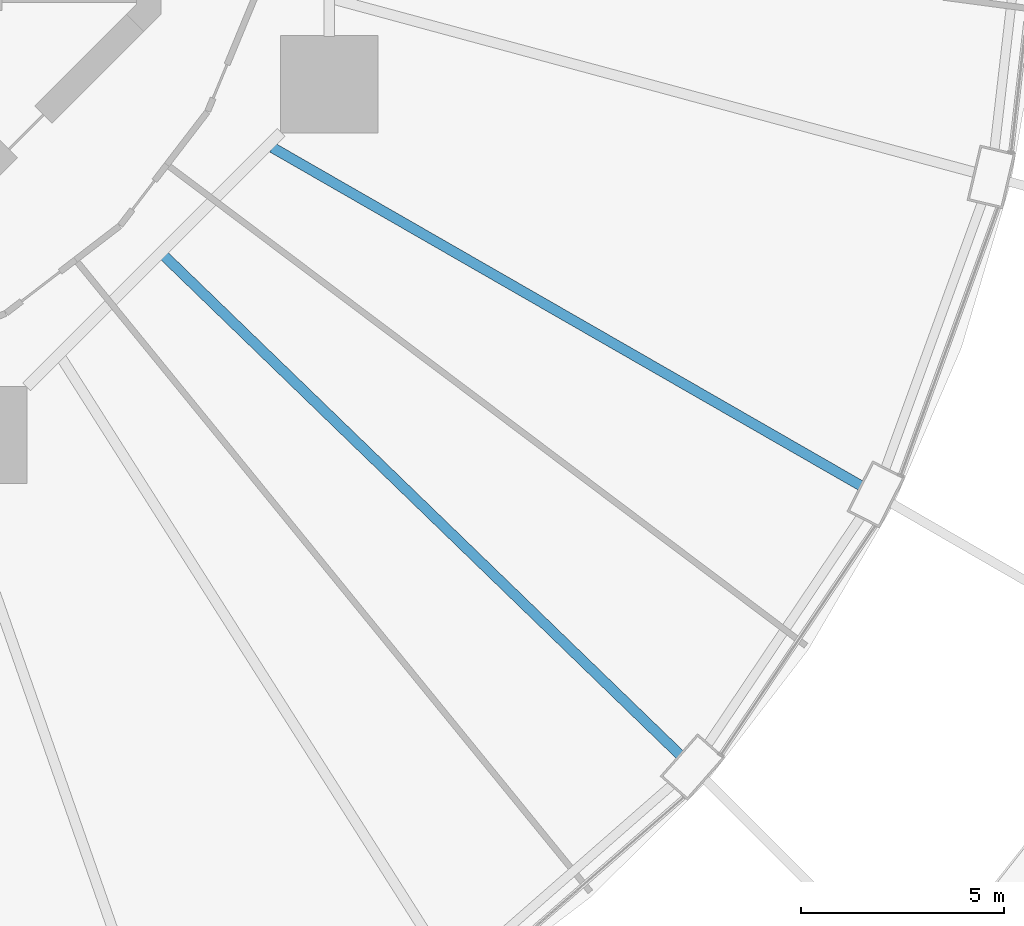
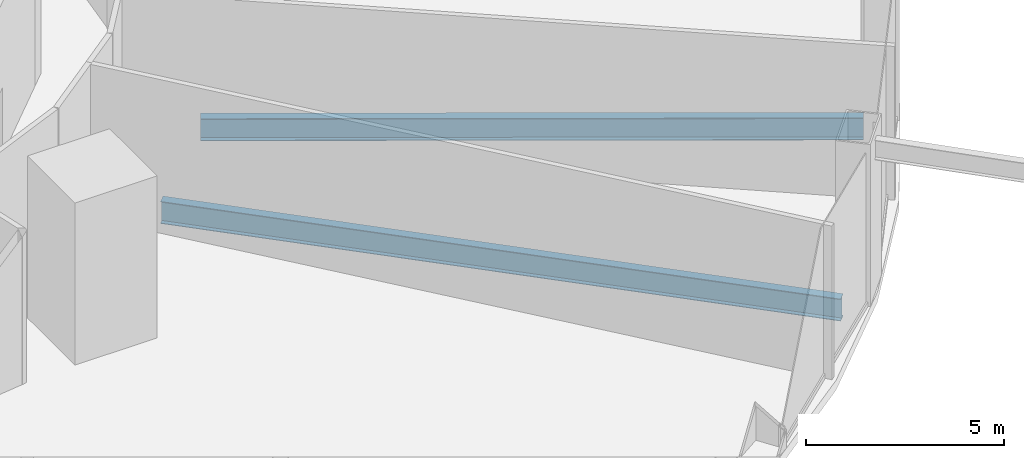
# One storey, part 15 of 52: 2 beams.
"""IFC4 building model written with IfcOpenShell, lengths in metres."""

from ifc_helpers import new_model, si_unit, direction, frame, origin, origin_2d, place, context, subcontext, project, spatial, i_section, extrude, material, material_profile, profile_set, type_object, element, save


model = new_model("IFC4")

# Units and contexts
model_context = context("Model", 3, precision=1e-05, world=origin(), true_north=direction((0.0, 1.0)))
body_context = subcontext(model_context, "Body", "Model", "MODEL_VIEW")
ifc_project = project(units=[si_unit("LENGTHUNIT", "METRE"), si_unit("AREAUNIT", "SQUARE_METRE"), si_unit("VOLUMEUNIT", "CUBIC_METRE"), si_unit("PLANEANGLEUNIT", "RADIAN"), si_unit("MASSUNIT", "GRAM", prefix="KILO")], contexts=[model_context])

# Site, building, storey
site_placement = place(None, origin())
site = spatial("IfcSite", under=ifc_project, at=site_placement, CompositionType="ELEMENT")
building_placement = place(site_placement, origin())
building = spatial("IfcBuilding", under=site, at=building_placement, Name="Nagisa Residences", CompositionType="ELEMENT")
storey_placement = place(building_placement, frame((0.0, 0.0, 22.0)))
storey = spatial("IfcBuildingStorey", under=building, at=storey_placement, Name="L04", CompositionType="ELEMENT", Elevation=22.0)

# Beams
ifc_material = material(Name="Steel ASTM A572 Gr 50", Category="steel")
ifc_material_profile = material_profile(ifc_material, i_section(OverallWidth=0.25390625, OverallDepth=0.68408203125, WebThickness=0.012451171875, FlangeThickness=0.018798828125, at=origin_2d()), Name="W690x140")
ifc_profile_set = profile_set([ifc_material_profile], Name="Steel ASTM A572 Gr 50")
beam_type = type_object("IfcBeamType", Name="Radial beam W690x140", PredefinedType="BEAM", material=ifc_profile_set)
beam_1_placement = place(storey_placement, frame((23.443115234375, -22.681640625, -0.64208984375), z_axis=(-0.718678305776, 0.695342716081, 0.0), x_axis=(-0.695342716081, -0.718678305776, 0.0)))
element("IfcBeam", 1, at=beam_1_placement, inside=storey, type_object=beam_type, Name="beam:L04:rb22", PredefinedType="BEAM", context=body_context, shape_type="SweptSolid", body=[
    extrude(i_section(OverallWidth=0.25390625, OverallDepth=0.68408203125, WebThickness=0.012451171875, FlangeThickness=0.018798828125, at=origin_2d()), origin(), (0.0, 0.0, 1.0), 17.722900390625),
])
beam_2_placement = place(storey_placement, frame((27.908447265625, -16.035400390625, -0.64208984375), z_axis=(-0.867068052258, 0.498189715623, 0.0), x_axis=(-0.498189715623, -0.867068052258, 0.0)))
element("IfcBeam", 2, at=beam_2_placement, inside=storey, type_object=beam_type, Name="beam:L04:rb23", PredefinedType="BEAM", context=body_context, shape_type="SweptSolid", body=[
    extrude(i_section(OverallWidth=0.25390625, OverallDepth=0.68408203125, WebThickness=0.012451171875, FlangeThickness=0.018798828125, at=origin_2d()), origin(), (0.0, 0.0, 1.0), 16.758056640625),
])

save(model, "model.ifc")
